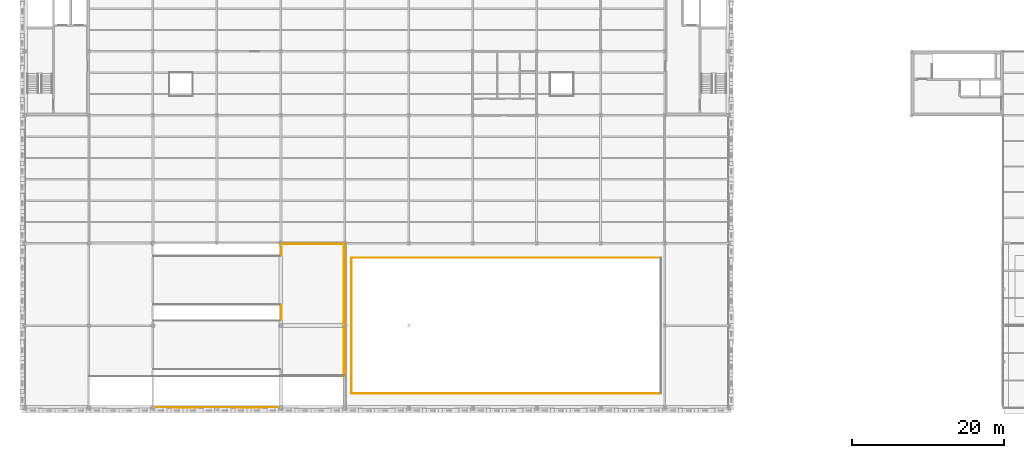
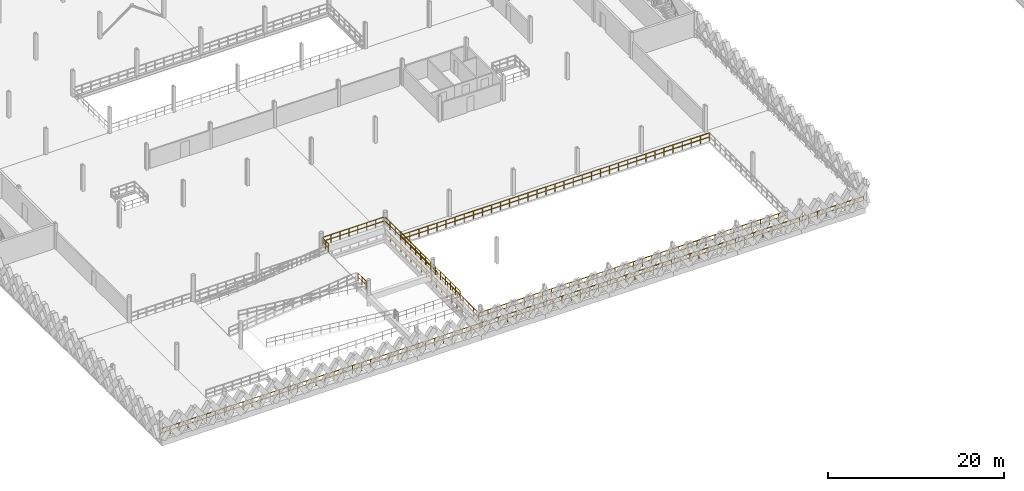
# One storey, part 65 of 74: 9 railings.
"""IFC4 building model written with IfcOpenShell, lengths in metres."""

from ifc_helpers import new_model, si_unit, direction, frame, origin, origin_2d, place, context, subcontext, project, spatial, circle, extrude, material, type_object, element, save


model = new_model("IFC4")

# Units and contexts
model_context = context("Model", 3, precision=1e-05, world=origin(), true_north=direction((0.0, 1.0)))
body_context = subcontext(model_context, "Body", "Model", "MODEL_VIEW")
ifc_project = project(units=[si_unit("LENGTHUNIT", "METRE"), si_unit("AREAUNIT", "SQUARE_METRE"), si_unit("VOLUMEUNIT", "CUBIC_METRE"), si_unit("PLANEANGLEUNIT", "RADIAN"), si_unit("MASSUNIT", "GRAM", prefix="KILO"), si_unit("THERMODYNAMICTEMPERATUREUNIT", "KELVIN"), si_unit("POWERUNIT", "WATT")], contexts=[model_context])

# Site, building, storey
site_placement = place(None, origin())
site = spatial("IfcSite", under=ifc_project, at=site_placement, CompositionType="ELEMENT")
building_placement = place(site_placement, origin())
building = spatial("IfcBuilding", under=site, at=building_placement, Name="Tembeka Court Mobility Hub", CompositionType="ELEMENT")
storey_placement = place(building_placement, frame((0.0, 0.0, 12.60009765625)))
storey = spatial("IfcBuildingStorey", under=building, at=storey_placement, Name="L03", CompositionType="ELEMENT", Elevation=12.60009765625)

# Railings
ifc_material = material(Name="Painted galvanised steel balustrade", Category="steel")
railing_type_1 = type_object("IfcRailingType", Name="RL-GR01", PredefinedType="GUARDRAIL", material=ifc_material)
railing_1_placement = place(storey_placement, frame((42.929931640625, 1.89990234375, 0.0)))
element("IfcRailing", 1, at=railing_1_placement, inside=storey, type_object=railing_type_1, Name="Perimeter guard GR01-0111", PredefinedType="GUARDRAIL", context=body_context, shape_type="SweptSolid", body=[
    extrude(circle(Radius=0.02392578125, at=origin_2d()), frame((0.0, 0.0, 1.09619140625), z_axis=(1.0, 0.0, 0.0), x_axis=(0.0, 1.0, 0.0)), (0.0, 0.0, 1.0), 40.5400390625),
    extrude(circle(Radius=0.02392578125, at=origin_2d()), frame((0.0, 0.0, 0.5361328125), z_axis=(1.0, 0.0, 0.0), x_axis=(0.0, 1.0, 0.0)), (0.0, 0.0, 1.0), 40.5400390625),
    extrude(circle(Radius=0.02099609375, at=origin_2d()), origin(), (0.0, 0.0, 1.0), 1.072021484375),
    extrude(circle(Radius=0.02099609375, at=origin_2d()), frame((1.1923828125, 0.0, 0.0)), (0.0, 0.0, 1.0), 1.072021484375),
    extrude(circle(Radius=0.02099609375, at=origin_2d()), frame((2.384765625, 0.0, 0.0)), (0.0, 0.0, 1.0), 1.072021484375),
    extrude(circle(Radius=0.02099609375, at=origin_2d()), frame((3.5771484375, 0.0, 0.0)), (0.0, 0.0, 1.0), 1.072021484375),
    extrude(circle(Radius=0.02099609375, at=origin_2d()), frame((4.76953125, 0.0, 0.0)), (0.0, 0.0, 1.0), 1.072021484375),
    extrude(circle(Radius=0.02099609375, at=origin_2d()), frame((5.961669921875, 0.0, 0.0)), (0.0, 0.0, 1.0), 1.072021484375),
    extrude(circle(Radius=0.02099609375, at=origin_2d()), frame((7.154052734375, 0.0, 0.0)), (0.0, 0.0, 1.0), 1.072021484375),
    extrude(circle(Radius=0.02099609375, at=origin_2d()), frame((8.346435546875, 0.0, 0.0)), (0.0, 0.0, 1.0), 1.072021484375),
    extrude(circle(Radius=0.02099609375, at=origin_2d()), frame((9.538818359375, 0.0, 0.0)), (0.0, 0.0, 1.0), 1.072021484375),
    extrude(circle(Radius=0.02099609375, at=origin_2d()), frame((10.731201171875, 0.0, 0.0)), (0.0, 0.0, 1.0), 1.072021484375),
    extrude(circle(Radius=0.02099609375, at=origin_2d()), frame((11.923583984375, 0.0, 0.0)), (0.0, 0.0, 1.0), 1.072021484375),
    extrude(circle(Radius=0.02099609375, at=origin_2d()), frame((13.115966796875, 0.0, 0.0)), (0.0, 0.0, 1.0), 1.072021484375),
    extrude(circle(Radius=0.02099609375, at=origin_2d()), frame((14.308349609375, 0.0, 0.0)), (0.0, 0.0, 1.0), 1.072021484375),
    extrude(circle(Radius=0.02099609375, at=origin_2d()), frame((15.50048828125, 0.0, 0.0)), (0.0, 0.0, 1.0), 1.072021484375),
    extrude(circle(Radius=0.02099609375, at=origin_2d()), frame((16.69287109375, 0.0, 0.0)), (0.0, 0.0, 1.0), 1.072021484375),
    extrude(circle(Radius=0.02099609375, at=origin_2d()), frame((17.88525390625, 0.0, 0.0)), (0.0, 0.0, 1.0), 1.072021484375),
    extrude(circle(Radius=0.02099609375, at=origin_2d()), frame((19.07763671875, 0.0, 0.0)), (0.0, 0.0, 1.0), 1.072021484375),
    extrude(circle(Radius=0.02099609375, at=origin_2d()), frame((20.27001953125, 0.0, 0.0)), (0.0, 0.0, 1.0), 1.072021484375),
    extrude(circle(Radius=0.02099609375, at=origin_2d()), frame((21.46240234375, 0.0, 0.0)), (0.0, 0.0, 1.0), 1.072021484375),
    extrude(circle(Radius=0.02099609375, at=origin_2d()), frame((22.65478515625, 0.0, 0.0)), (0.0, 0.0, 1.0), 1.072021484375),
    extrude(circle(Radius=0.02099609375, at=origin_2d()), frame((23.84716796875, 0.0, 0.0)), (0.0, 0.0, 1.0), 1.072021484375),
    extrude(circle(Radius=0.02099609375, at=origin_2d()), frame((25.03955078125, 0.0, 0.0)), (0.0, 0.0, 1.0), 1.072021484375),
    extrude(circle(Radius=0.02099609375, at=origin_2d()), frame((26.231689453125, 0.0, 0.0)), (0.0, 0.0, 1.0), 1.072021484375),
    extrude(circle(Radius=0.02099609375, at=origin_2d()), frame((27.424072265625, 0.0, 0.0)), (0.0, 0.0, 1.0), 1.072021484375),
    extrude(circle(Radius=0.02099609375, at=origin_2d()), frame((28.616455078125, 0.0, 0.0)), (0.0, 0.0, 1.0), 1.072021484375),
    extrude(circle(Radius=0.02099609375, at=origin_2d()), frame((29.808837890625, 0.0, 0.0)), (0.0, 0.0, 1.0), 1.072021484375),
    extrude(circle(Radius=0.02099609375, at=origin_2d()), frame((31.001220703125, 0.0, 0.0)), (0.0, 0.0, 1.0), 1.072021484375),
    extrude(circle(Radius=0.02099609375, at=origin_2d()), frame((32.193603515625, 0.0, 0.0)), (0.0, 0.0, 1.0), 1.072021484375),
    extrude(circle(Radius=0.02099609375, at=origin_2d()), frame((33.385986328125, 0.0, 0.0)), (0.0, 0.0, 1.0), 1.072021484375),
    extrude(circle(Radius=0.02099609375, at=origin_2d()), frame((34.578369140625, 0.0, 0.0)), (0.0, 0.0, 1.0), 1.072021484375),
    extrude(circle(Radius=0.02099609375, at=origin_2d()), frame((35.7705078125, 0.0, 0.0)), (0.0, 0.0, 1.0), 1.072021484375),
    extrude(circle(Radius=0.02099609375, at=origin_2d()), frame((36.962890625, 0.0, 0.0)), (0.0, 0.0, 1.0), 1.072021484375),
    extrude(circle(Radius=0.02099609375, at=origin_2d()), frame((38.1552734375, 0.0, 0.0)), (0.0, 0.0, 1.0), 1.072021484375),
    extrude(circle(Radius=0.02099609375, at=origin_2d()), frame((39.34765625, 0.0, 0.0)), (0.0, 0.0, 1.0), 1.072021484375),
    extrude(circle(Radius=0.02099609375, at=origin_2d()), frame((40.5400390625, 0.0, 0.0)), (0.0, 0.0, 1.0), 1.072021484375),
])
railing_2_placement = place(storey_placement, frame((83.469970703125, 19.699951171875, 0.0)))
element("IfcRailing", 2, at=railing_2_placement, inside=storey, type_object=railing_type_1, Name="Perimeter guard GR01-0113", PredefinedType="GUARDRAIL", context=body_context, shape_type="SweptSolid", body=[
    extrude(circle(Radius=0.02392578125, at=origin_2d()), frame((0.0, 0.0, 1.09619140625), z_axis=(-1.0, 0.0, 0.0), x_axis=(0.0, -1.0, 0.0)), (0.0, 0.0, 1.0), 40.5400390625),
    extrude(circle(Radius=0.02392578125, at=origin_2d()), frame((0.0, 0.0, 0.5361328125), z_axis=(-1.0, 0.0, 0.0), x_axis=(0.0, -1.0, 0.0)), (0.0, 0.0, 1.0), 40.5400390625),
    extrude(circle(Radius=0.02099609375, at=origin_2d()), origin(), (0.0, 0.0, 1.0), 1.072021484375),
    extrude(circle(Radius=0.02099609375, at=origin_2d()), frame((-1.1923828125, 0.0, 0.0)), (0.0, 0.0, 1.0), 1.072021484375),
    extrude(circle(Radius=0.02099609375, at=origin_2d()), frame((-2.384765625, 0.0, 0.0)), (0.0, 0.0, 1.0), 1.072021484375),
    extrude(circle(Radius=0.02099609375, at=origin_2d()), frame((-3.5771484375, 0.0, 0.0)), (0.0, 0.0, 1.0), 1.072021484375),
    extrude(circle(Radius=0.02099609375, at=origin_2d()), frame((-4.76953125, 0.0, 0.0)), (0.0, 0.0, 1.0), 1.072021484375),
    extrude(circle(Radius=0.02099609375, at=origin_2d()), frame((-5.961669921875, 0.0, 0.0)), (0.0, 0.0, 1.0), 1.072021484375),
    extrude(circle(Radius=0.02099609375, at=origin_2d()), frame((-7.154052734375, 0.0, 0.0)), (0.0, 0.0, 1.0), 1.072021484375),
    extrude(circle(Radius=0.02099609375, at=origin_2d()), frame((-8.346435546875, 0.0, 0.0)), (0.0, 0.0, 1.0), 1.072021484375),
    extrude(circle(Radius=0.02099609375, at=origin_2d()), frame((-9.538818359375, 0.0, 0.0)), (0.0, 0.0, 1.0), 1.072021484375),
    extrude(circle(Radius=0.02099609375, at=origin_2d()), frame((-10.731201171875, 0.0, 0.0)), (0.0, 0.0, 1.0), 1.072021484375),
    extrude(circle(Radius=0.02099609375, at=origin_2d()), frame((-11.923583984375, 0.0, 0.0)), (0.0, 0.0, 1.0), 1.072021484375),
    extrude(circle(Radius=0.02099609375, at=origin_2d()), frame((-13.115966796875, 0.0, 0.0)), (0.0, 0.0, 1.0), 1.072021484375),
    extrude(circle(Radius=0.02099609375, at=origin_2d()), frame((-14.308349609375, 0.0, 0.0)), (0.0, 0.0, 1.0), 1.072021484375),
    extrude(circle(Radius=0.02099609375, at=origin_2d()), frame((-15.50048828125, 0.0, 0.0)), (0.0, 0.0, 1.0), 1.072021484375),
    extrude(circle(Radius=0.02099609375, at=origin_2d()), frame((-16.69287109375, 0.0, 0.0)), (0.0, 0.0, 1.0), 1.072021484375),
    extrude(circle(Radius=0.02099609375, at=origin_2d()), frame((-17.88525390625, 0.0, 0.0)), (0.0, 0.0, 1.0), 1.072021484375),
    extrude(circle(Radius=0.02099609375, at=origin_2d()), frame((-19.07763671875, 0.0, 0.0)), (0.0, 0.0, 1.0), 1.072021484375),
    extrude(circle(Radius=0.02099609375, at=origin_2d()), frame((-20.27001953125, 0.0, 0.0)), (0.0, 0.0, 1.0), 1.072021484375),
    extrude(circle(Radius=0.02099609375, at=origin_2d()), frame((-21.46240234375, 0.0, 0.0)), (0.0, 0.0, 1.0), 1.072021484375),
    extrude(circle(Radius=0.02099609375, at=origin_2d()), frame((-22.65478515625, 0.0, 0.0)), (0.0, 0.0, 1.0), 1.072021484375),
    extrude(circle(Radius=0.02099609375, at=origin_2d()), frame((-23.84716796875, 0.0, 0.0)), (0.0, 0.0, 1.0), 1.072021484375),
    extrude(circle(Radius=0.02099609375, at=origin_2d()), frame((-25.03955078125, 0.0, 0.0)), (0.0, 0.0, 1.0), 1.072021484375),
    extrude(circle(Radius=0.02099609375, at=origin_2d()), frame((-26.231689453125, 0.0, 0.0)), (0.0, 0.0, 1.0), 1.072021484375),
    extrude(circle(Radius=0.02099609375, at=origin_2d()), frame((-27.424072265625, 0.0, 0.0)), (0.0, 0.0, 1.0), 1.072021484375),
    extrude(circle(Radius=0.02099609375, at=origin_2d()), frame((-28.616455078125, 0.0, 0.0)), (0.0, 0.0, 1.0), 1.072021484375),
    extrude(circle(Radius=0.02099609375, at=origin_2d()), frame((-29.808837890625, 0.0, 0.0)), (0.0, 0.0, 1.0), 1.072021484375),
    extrude(circle(Radius=0.02099609375, at=origin_2d()), frame((-31.001220703125, 0.0, 0.0)), (0.0, 0.0, 1.0), 1.072021484375),
    extrude(circle(Radius=0.02099609375, at=origin_2d()), frame((-32.193603515625, 0.0, 0.0)), (0.0, 0.0, 1.0), 1.072021484375),
    extrude(circle(Radius=0.02099609375, at=origin_2d()), frame((-33.385986328125, 0.0, 0.0)), (0.0, 0.0, 1.0), 1.072021484375),
    extrude(circle(Radius=0.02099609375, at=origin_2d()), frame((-34.578369140625, 0.0, 0.0)), (0.0, 0.0, 1.0), 1.072021484375),
    extrude(circle(Radius=0.02099609375, at=origin_2d()), frame((-35.7705078125, 0.0, 0.0)), (0.0, 0.0, 1.0), 1.072021484375),
    extrude(circle(Radius=0.02099609375, at=origin_2d()), frame((-36.962890625, 0.0, 0.0)), (0.0, 0.0, 1.0), 1.072021484375),
    extrude(circle(Radius=0.02099609375, at=origin_2d()), frame((-38.1552734375, 0.0, 0.0)), (0.0, 0.0, 1.0), 1.072021484375),
    extrude(circle(Radius=0.02099609375, at=origin_2d()), frame((-39.34765625, 0.0, 0.0)), (0.0, 0.0, 1.0), 1.072021484375),
    extrude(circle(Radius=0.02099609375, at=origin_2d()), frame((-40.5400390625, 0.0, 0.0)), (0.0, 0.0, 1.0), 1.072021484375),
])
railing_3_placement = place(storey_placement, frame((42.89990234375, 19.669921875, 0.0)))
element("IfcRailing", 3, at=railing_3_placement, inside=storey, type_object=railing_type_1, Name="Perimeter guard GR01-0114", PredefinedType="GUARDRAIL", context=body_context, shape_type="SweptSolid", body=[
    extrude(circle(Radius=0.02392578125, at=origin_2d()), frame((0.0, 0.0, 1.09619140625), z_axis=(0.0, -1.0, 0.0), x_axis=(1.0, 0.0, 0.0)), (0.0, 0.0, 1.0), 17.739990234375),
    extrude(circle(Radius=0.02392578125, at=origin_2d()), frame((0.0, 0.0, 0.5361328125), z_axis=(0.0, -1.0, 0.0), x_axis=(1.0, 0.0, 0.0)), (0.0, 0.0, 1.0), 17.739990234375),
    extrude(circle(Radius=0.02099609375, at=origin_2d()), origin(), (0.0, 0.0, 1.0), 1.072021484375),
    extrude(circle(Radius=0.02099609375, at=origin_2d()), frame((0.0, -1.1826171875, 0.0)), (0.0, 0.0, 1.0), 1.072021484375),
    extrude(circle(Radius=0.02099609375, at=origin_2d()), frame((0.0, -2.365234375, 0.0)), (0.0, 0.0, 1.0), 1.072021484375),
    extrude(circle(Radius=0.02099609375, at=origin_2d()), frame((0.0, -3.548095703125, 0.0)), (0.0, 0.0, 1.0), 1.072021484375),
    extrude(circle(Radius=0.02099609375, at=origin_2d()), frame((0.0, -4.730712890625, 0.0)), (0.0, 0.0, 1.0), 1.072021484375),
    extrude(circle(Radius=0.02099609375, at=origin_2d()), frame((0.0, -5.913330078125, 0.0)), (0.0, 0.0, 1.0), 1.072021484375),
    extrude(circle(Radius=0.02099609375, at=origin_2d()), frame((0.0, -7.095947265625, 0.0)), (0.0, 0.0, 1.0), 1.072021484375),
    extrude(circle(Radius=0.02099609375, at=origin_2d()), frame((0.0, -8.278564453125, 0.0)), (0.0, 0.0, 1.0), 1.072021484375),
    extrude(circle(Radius=0.02099609375, at=origin_2d()), frame((0.0, -9.46142578125, 0.0)), (0.0, 0.0, 1.0), 1.072021484375),
    extrude(circle(Radius=0.02099609375, at=origin_2d()), frame((0.0, -10.64404296875, 0.0)), (0.0, 0.0, 1.0), 1.072021484375),
    extrude(circle(Radius=0.02099609375, at=origin_2d()), frame((0.0, -11.82666015625, 0.0)), (0.0, 0.0, 1.0), 1.072021484375),
    extrude(circle(Radius=0.02099609375, at=origin_2d()), frame((0.0, -13.00927734375, 0.0)), (0.0, 0.0, 1.0), 1.072021484375),
    extrude(circle(Radius=0.02099609375, at=origin_2d()), frame((0.0, -14.19189453125, 0.0)), (0.0, 0.0, 1.0), 1.072021484375),
    extrude(circle(Radius=0.02099609375, at=origin_2d()), frame((0.0, -15.374755859375, 0.0)), (0.0, 0.0, 1.0), 1.072021484375),
    extrude(circle(Radius=0.02099609375, at=origin_2d()), frame((0.0, -16.557373046875, 0.0)), (0.0, 0.0, 1.0), 1.072021484375),
    extrude(circle(Radius=0.02099609375, at=origin_2d()), frame((0.0, -17.739990234375, 0.0)), (0.0, 0.0, 1.0), 1.072021484375),
])
railing_type_2 = type_object("IfcRailingType", Name="RL-GR02", PredefinedType="GUARDRAIL", material=ifc_material)
railing_4_placement = place(storey_placement, frame((0.080078125, 0.050048828125, 0.0)))
element("IfcRailing", 4, at=railing_4_placement, inside=storey, type_object=railing_type_2, Name="Perimeter guard GR02-0119", PredefinedType="GUARDRAIL", context=body_context, shape_type="SweptSolid", body=[
    extrude(circle(Radius=0.02392578125, at=origin_2d()), frame((0.0, 0.0, 1.09619140625), z_axis=(1.0, 0.0, 0.0), x_axis=(0.0, 1.0, 0.0)), (0.0, 0.0, 1.0), 92.239990234375),
    extrude(circle(Radius=0.02392578125, at=origin_2d()), frame((0.0, 0.0, 0.5361328125), z_axis=(1.0, 0.0, 0.0), x_axis=(0.0, 1.0, 0.0)), (0.0, 0.0, 1.0), 92.239990234375),
    extrude(circle(Radius=0.02099609375, at=origin_2d()), origin(), (0.0, 0.0, 1.0), 1.072021484375),
    extrude(circle(Radius=0.02099609375, at=origin_2d()), frame((1.197998046875, 0.0, 0.0)), (0.0, 0.0, 1.0), 1.072021484375),
    extrude(circle(Radius=0.02099609375, at=origin_2d()), frame((2.395751953125, 0.0, 0.0)), (0.0, 0.0, 1.0), 1.072021484375),
    extrude(circle(Radius=0.02099609375, at=origin_2d()), frame((3.59375, 0.0, 0.0)), (0.0, 0.0, 1.0), 1.072021484375),
    extrude(circle(Radius=0.02099609375, at=origin_2d()), frame((4.791748046875, 0.0, 0.0)), (0.0, 0.0, 1.0), 1.072021484375),
    extrude(circle(Radius=0.02099609375, at=origin_2d()), frame((5.989501953125, 0.0, 0.0)), (0.0, 0.0, 1.0), 1.072021484375),
    extrude(circle(Radius=0.02099609375, at=origin_2d()), frame((7.1875, 0.0, 0.0)), (0.0, 0.0, 1.0), 1.072021484375),
    extrude(circle(Radius=0.02099609375, at=origin_2d()), frame((8.385498046875, 0.0, 0.0)), (0.0, 0.0, 1.0), 1.072021484375),
    extrude(circle(Radius=0.02099609375, at=origin_2d()), frame((9.58349609375, 0.0, 0.0)), (0.0, 0.0, 1.0), 1.072021484375),
    extrude(circle(Radius=0.02099609375, at=origin_2d()), frame((10.78125, 0.0, 0.0)), (0.0, 0.0, 1.0), 1.072021484375),
    extrude(circle(Radius=0.02099609375, at=origin_2d()), frame((11.979248046875, 0.0, 0.0)), (0.0, 0.0, 1.0), 1.072021484375),
    extrude(circle(Radius=0.02099609375, at=origin_2d()), frame((13.17724609375, 0.0, 0.0)), (0.0, 0.0, 1.0), 1.072021484375),
    extrude(circle(Radius=0.02099609375, at=origin_2d()), frame((14.375, 0.0, 0.0)), (0.0, 0.0, 1.0), 1.072021484375),
    extrude(circle(Radius=0.02099609375, at=origin_2d()), frame((15.572998046875, 0.0, 0.0)), (0.0, 0.0, 1.0), 1.072021484375),
    extrude(circle(Radius=0.02099609375, at=origin_2d()), frame((16.77099609375, 0.0, 0.0)), (0.0, 0.0, 1.0), 1.072021484375),
    extrude(circle(Radius=0.02099609375, at=origin_2d()), frame((17.96875, 0.0, 0.0)), (0.0, 0.0, 1.0), 1.072021484375),
    extrude(circle(Radius=0.02099609375, at=origin_2d()), frame((19.166748046875, 0.0, 0.0)), (0.0, 0.0, 1.0), 1.072021484375),
    extrude(circle(Radius=0.02099609375, at=origin_2d()), frame((20.36474609375, 0.0, 0.0)), (0.0, 0.0, 1.0), 1.072021484375),
    extrude(circle(Radius=0.02099609375, at=origin_2d()), frame((21.5625, 0.0, 0.0)), (0.0, 0.0, 1.0), 1.072021484375),
    extrude(circle(Radius=0.02099609375, at=origin_2d()), frame((22.760498046875, 0.0, 0.0)), (0.0, 0.0, 1.0), 1.072021484375),
    extrude(circle(Radius=0.02099609375, at=origin_2d()), frame((23.95849609375, 0.0, 0.0)), (0.0, 0.0, 1.0), 1.072021484375),
    extrude(circle(Radius=0.02099609375, at=origin_2d()), frame((25.15625, 0.0, 0.0)), (0.0, 0.0, 1.0), 1.072021484375),
    extrude(circle(Radius=0.02099609375, at=origin_2d()), frame((26.354248046875, 0.0, 0.0)), (0.0, 0.0, 1.0), 1.072021484375),
    extrude(circle(Radius=0.02099609375, at=origin_2d()), frame((27.55224609375, 0.0, 0.0)), (0.0, 0.0, 1.0), 1.072021484375),
    extrude(circle(Radius=0.02099609375, at=origin_2d()), frame((28.750244140625, 0.0, 0.0)), (0.0, 0.0, 1.0), 1.072021484375),
    extrude(circle(Radius=0.02099609375, at=origin_2d()), frame((29.947998046875, 0.0, 0.0)), (0.0, 0.0, 1.0), 1.072021484375),
    extrude(circle(Radius=0.02099609375, at=origin_2d()), frame((31.14599609375, 0.0, 0.0)), (0.0, 0.0, 1.0), 1.072021484375),
    extrude(circle(Radius=0.02099609375, at=origin_2d()), frame((32.343994140625, 0.0, 0.0)), (0.0, 0.0, 1.0), 1.072021484375),
    extrude(circle(Radius=0.02099609375, at=origin_2d()), frame((33.541748046875, 0.0, 0.0)), (0.0, 0.0, 1.0), 1.072021484375),
    extrude(circle(Radius=0.02099609375, at=origin_2d()), frame((34.73974609375, 0.0, 0.0)), (0.0, 0.0, 1.0), 1.072021484375),
    extrude(circle(Radius=0.02099609375, at=origin_2d()), frame((35.937744140625, 0.0, 0.0)), (0.0, 0.0, 1.0), 1.072021484375),
    extrude(circle(Radius=0.02099609375, at=origin_2d()), frame((37.135498046875, 0.0, 0.0)), (0.0, 0.0, 1.0), 1.072021484375),
    extrude(circle(Radius=0.02099609375, at=origin_2d()), frame((38.33349609375, 0.0, 0.0)), (0.0, 0.0, 1.0), 1.072021484375),
    extrude(circle(Radius=0.02099609375, at=origin_2d()), frame((39.531494140625, 0.0, 0.0)), (0.0, 0.0, 1.0), 1.072021484375),
    extrude(circle(Radius=0.02099609375, at=origin_2d()), frame((40.729248046875, 0.0, 0.0)), (0.0, 0.0, 1.0), 1.072021484375),
    extrude(circle(Radius=0.02099609375, at=origin_2d()), frame((41.92724609375, 0.0, 0.0)), (0.0, 0.0, 1.0), 1.072021484375),
    extrude(circle(Radius=0.02099609375, at=origin_2d()), frame((43.125244140625, 0.0, 0.0)), (0.0, 0.0, 1.0), 1.072021484375),
    extrude(circle(Radius=0.02099609375, at=origin_2d()), frame((44.322998046875, 0.0, 0.0)), (0.0, 0.0, 1.0), 1.072021484375),
    extrude(circle(Radius=0.02099609375, at=origin_2d()), frame((45.52099609375, 0.0, 0.0)), (0.0, 0.0, 1.0), 1.072021484375),
    extrude(circle(Radius=0.02099609375, at=origin_2d()), frame((46.718994140625, 0.0, 0.0)), (0.0, 0.0, 1.0), 1.072021484375),
    extrude(circle(Radius=0.02099609375, at=origin_2d()), frame((47.9169921875, 0.0, 0.0)), (0.0, 0.0, 1.0), 1.072021484375),
    extrude(circle(Radius=0.02099609375, at=origin_2d()), frame((49.11474609375, 0.0, 0.0)), (0.0, 0.0, 1.0), 1.072021484375),
    extrude(circle(Radius=0.02099609375, at=origin_2d()), frame((50.312744140625, 0.0, 0.0)), (0.0, 0.0, 1.0), 1.072021484375),
    extrude(circle(Radius=0.02099609375, at=origin_2d()), frame((51.5107421875, 0.0, 0.0)), (0.0, 0.0, 1.0), 1.072021484375),
    extrude(circle(Radius=0.02099609375, at=origin_2d()), frame((52.70849609375, 0.0, 0.0)), (0.0, 0.0, 1.0), 1.072021484375),
    extrude(circle(Radius=0.02099609375, at=origin_2d()), frame((53.906494140625, 0.0, 0.0)), (0.0, 0.0, 1.0), 1.072021484375),
    extrude(circle(Radius=0.02099609375, at=origin_2d()), frame((55.1044921875, 0.0, 0.0)), (0.0, 0.0, 1.0), 1.072021484375),
    extrude(circle(Radius=0.02099609375, at=origin_2d()), frame((56.30224609375, 0.0, 0.0)), (0.0, 0.0, 1.0), 1.072021484375),
    extrude(circle(Radius=0.02099609375, at=origin_2d()), frame((57.500244140625, 0.0, 0.0)), (0.0, 0.0, 1.0), 1.072021484375),
    extrude(circle(Radius=0.02099609375, at=origin_2d()), frame((58.6982421875, 0.0, 0.0)), (0.0, 0.0, 1.0), 1.072021484375),
    extrude(circle(Radius=0.02099609375, at=origin_2d()), frame((59.89599609375, 0.0, 0.0)), (0.0, 0.0, 1.0), 1.072021484375),
    extrude(circle(Radius=0.02099609375, at=origin_2d()), frame((61.093994140625, 0.0, 0.0)), (0.0, 0.0, 1.0), 1.072021484375),
    extrude(circle(Radius=0.02099609375, at=origin_2d()), frame((62.2919921875, 0.0, 0.0)), (0.0, 0.0, 1.0), 1.072021484375),
    extrude(circle(Radius=0.02099609375, at=origin_2d()), frame((63.48974609375, 0.0, 0.0)), (0.0, 0.0, 1.0), 1.072021484375),
    extrude(circle(Radius=0.02099609375, at=origin_2d()), frame((64.687744140625, 0.0, 0.0)), (0.0, 0.0, 1.0), 1.072021484375),
    extrude(circle(Radius=0.02099609375, at=origin_2d()), frame((65.8857421875, 0.0, 0.0)), (0.0, 0.0, 1.0), 1.072021484375),
    extrude(circle(Radius=0.02099609375, at=origin_2d()), frame((67.083740234375, 0.0, 0.0)), (0.0, 0.0, 1.0), 1.072021484375),
    extrude(circle(Radius=0.02099609375, at=origin_2d()), frame((68.281494140625, 0.0, 0.0)), (0.0, 0.0, 1.0), 1.072021484375),
    extrude(circle(Radius=0.02099609375, at=origin_2d()), frame((69.4794921875, 0.0, 0.0)), (0.0, 0.0, 1.0), 1.072021484375),
    extrude(circle(Radius=0.02099609375, at=origin_2d()), frame((70.677490234375, 0.0, 0.0)), (0.0, 0.0, 1.0), 1.072021484375),
    extrude(circle(Radius=0.02099609375, at=origin_2d()), frame((71.875244140625, 0.0, 0.0)), (0.0, 0.0, 1.0), 1.072021484375),
    extrude(circle(Radius=0.02099609375, at=origin_2d()), frame((73.0732421875, 0.0, 0.0)), (0.0, 0.0, 1.0), 1.072021484375),
    extrude(circle(Radius=0.02099609375, at=origin_2d()), frame((74.271240234375, 0.0, 0.0)), (0.0, 0.0, 1.0), 1.072021484375),
    extrude(circle(Radius=0.02099609375, at=origin_2d()), frame((75.468994140625, 0.0, 0.0)), (0.0, 0.0, 1.0), 1.072021484375),
    extrude(circle(Radius=0.02099609375, at=origin_2d()), frame((76.6669921875, 0.0, 0.0)), (0.0, 0.0, 1.0), 1.072021484375),
    extrude(circle(Radius=0.02099609375, at=origin_2d()), frame((77.864990234375, 0.0, 0.0)), (0.0, 0.0, 1.0), 1.072021484375),
    extrude(circle(Radius=0.02099609375, at=origin_2d()), frame((79.062744140625, 0.0, 0.0)), (0.0, 0.0, 1.0), 1.072021484375),
    extrude(circle(Radius=0.02099609375, at=origin_2d()), frame((80.2607421875, 0.0, 0.0)), (0.0, 0.0, 1.0), 1.072021484375),
    extrude(circle(Radius=0.02099609375, at=origin_2d()), frame((81.458740234375, 0.0, 0.0)), (0.0, 0.0, 1.0), 1.072021484375),
    extrude(circle(Radius=0.02099609375, at=origin_2d()), frame((82.656494140625, 0.0, 0.0)), (0.0, 0.0, 1.0), 1.072021484375),
    extrude(circle(Radius=0.02099609375, at=origin_2d()), frame((83.8544921875, 0.0, 0.0)), (0.0, 0.0, 1.0), 1.072021484375),
    extrude(circle(Radius=0.02099609375, at=origin_2d()), frame((85.052490234375, 0.0, 0.0)), (0.0, 0.0, 1.0), 1.072021484375),
    extrude(circle(Radius=0.02099609375, at=origin_2d()), frame((86.25048828125, 0.0, 0.0)), (0.0, 0.0, 1.0), 1.072021484375),
    extrude(circle(Radius=0.02099609375, at=origin_2d()), frame((87.4482421875, 0.0, 0.0)), (0.0, 0.0, 1.0), 1.072021484375),
    extrude(circle(Radius=0.02099609375, at=origin_2d()), frame((88.646240234375, 0.0, 0.0)), (0.0, 0.0, 1.0), 1.072021484375),
    extrude(circle(Radius=0.02099609375, at=origin_2d()), frame((89.84423828125, 0.0, 0.0)), (0.0, 0.0, 1.0), 1.072021484375),
    extrude(circle(Radius=0.02099609375, at=origin_2d()), frame((91.0419921875, 0.0, 0.0)), (0.0, 0.0, 1.0), 1.072021484375),
    extrude(circle(Radius=0.02099609375, at=origin_2d()), frame((92.239990234375, 0.0, 0.0)), (0.0, 0.0, 1.0), 1.072021484375),
])
railing_5_placement = place(storey_placement, frame((42.050048828125, 4.179931640625, 0.0)))
element("IfcRailing", 5, at=railing_5_placement, inside=storey, type_object=railing_type_2, Name="Perimeter guard GR02-0270", PredefinedType="GUARDRAIL", context=body_context, shape_type="SweptSolid", body=[
    extrude(circle(Radius=0.02392578125, at=origin_2d()), frame((0.0, 0.0, 1.09619140625), z_axis=(0.0, 1.0, 0.0), x_axis=(-1.0, 0.0, 0.0)), (0.0, 0.0, 1.0), 17.440185546875),
    extrude(circle(Radius=0.02392578125, at=origin_2d()), frame((0.0, 0.0, 0.5361328125), z_axis=(0.0, 1.0, 0.0), x_axis=(-1.0, 0.0, 0.0)), (0.0, 0.0, 1.0), 17.440185546875),
    extrude(circle(Radius=0.02099609375, at=origin_2d()), origin(), (0.0, 0.0, 1.0), 1.072021484375),
    extrude(circle(Radius=0.02099609375, at=origin_2d()), frame((0.0, 1.16259765625, 0.0)), (0.0, 0.0, 1.0), 1.072021484375),
    extrude(circle(Radius=0.02099609375, at=origin_2d()), frame((0.0, 2.325439453125, 0.0)), (0.0, 0.0, 1.0), 1.072021484375),
    extrude(circle(Radius=0.02099609375, at=origin_2d()), frame((0.0, 3.488037109375, 0.0)), (0.0, 0.0, 1.0), 1.072021484375),
    extrude(circle(Radius=0.02099609375, at=origin_2d()), frame((0.0, 4.650634765625, 0.0)), (0.0, 0.0, 1.0), 1.072021484375),
    extrude(circle(Radius=0.02099609375, at=origin_2d()), frame((0.0, 5.8134765625, 0.0)), (0.0, 0.0, 1.0), 1.072021484375),
    extrude(circle(Radius=0.02099609375, at=origin_2d()), frame((0.0, 6.97607421875, 0.0)), (0.0, 0.0, 1.0), 1.072021484375),
    extrude(circle(Radius=0.02099609375, at=origin_2d()), frame((0.0, 8.138671875, 0.0)), (0.0, 0.0, 1.0), 1.072021484375),
    extrude(circle(Radius=0.02099609375, at=origin_2d()), frame((0.0, 9.301513671875, 0.0)), (0.0, 0.0, 1.0), 1.072021484375),
    extrude(circle(Radius=0.02099609375, at=origin_2d()), frame((0.0, 10.464111328125, 0.0)), (0.0, 0.0, 1.0), 1.072021484375),
    extrude(circle(Radius=0.02099609375, at=origin_2d()), frame((0.0, 11.626708984375, 0.0)), (0.0, 0.0, 1.0), 1.072021484375),
    extrude(circle(Radius=0.02099609375, at=origin_2d()), frame((0.0, 12.78955078125, 0.0)), (0.0, 0.0, 1.0), 1.072021484375),
    extrude(circle(Radius=0.02099609375, at=origin_2d()), frame((0.0, 13.9521484375, 0.0)), (0.0, 0.0, 1.0), 1.072021484375),
    extrude(circle(Radius=0.02099609375, at=origin_2d()), frame((0.0, 15.11474609375, 0.0)), (0.0, 0.0, 1.0), 1.072021484375),
    extrude(circle(Radius=0.02099609375, at=origin_2d()), frame((0.0, 16.277587890625, 0.0)), (0.0, 0.0, 1.0), 1.072021484375),
    extrude(circle(Radius=0.02099609375, at=origin_2d()), frame((0.0, 17.440185546875, 0.0)), (0.0, 0.0, 1.0), 1.072021484375),
])
railing_6_placement = place(storey_placement, frame((41.919921875, 4.31005859375, 1.7998046875)))
element("IfcRailing", 6, at=railing_6_placement, inside=storey, type_object=railing_type_2, Name="Perimeter guard GR02-0322", PredefinedType="GUARDRAIL", context=body_context, shape_type="SweptSolid", body=[
    extrude(circle(Radius=0.02392578125, at=origin_2d()), frame((0.0, 0.0, 1.09619140625), z_axis=(0.0, 1.0, 0.0), x_axis=(-1.0, 0.0, 0.0)), (0.0, 0.0, 1.0), 17.179931640625),
    extrude(circle(Radius=0.02392578125, at=origin_2d()), frame((0.0, 0.0, 0.5361328125), z_axis=(0.0, 1.0, 0.0), x_axis=(-1.0, 0.0, 0.0)), (0.0, 0.0, 1.0), 17.179931640625),
    extrude(circle(Radius=0.02099609375, at=origin_2d()), origin(), (0.0, 0.0, 1.0), 1.072021484375),
    extrude(circle(Radius=0.02099609375, at=origin_2d()), frame((0.0, 1.145263671875, 0.0)), (0.0, 0.0, 1.0), 1.072021484375),
    extrude(circle(Radius=0.02099609375, at=origin_2d()), frame((0.0, 2.290771484375, 0.0)), (0.0, 0.0, 1.0), 1.072021484375),
    extrude(circle(Radius=0.02099609375, at=origin_2d()), frame((0.0, 3.43603515625, 0.0)), (0.0, 0.0, 1.0), 1.072021484375),
    extrude(circle(Radius=0.02099609375, at=origin_2d()), frame((0.0, 4.581298828125, 0.0)), (0.0, 0.0, 1.0), 1.072021484375),
    extrude(circle(Radius=0.02099609375, at=origin_2d()), frame((0.0, 5.7265625, 0.0)), (0.0, 0.0, 1.0), 1.072021484375),
    extrude(circle(Radius=0.02099609375, at=origin_2d()), frame((0.0, 6.8720703125, 0.0)), (0.0, 0.0, 1.0), 1.072021484375),
    extrude(circle(Radius=0.02099609375, at=origin_2d()), frame((0.0, 8.017333984375, 0.0)), (0.0, 0.0, 1.0), 1.072021484375),
    extrude(circle(Radius=0.02099609375, at=origin_2d()), frame((0.0, 9.16259765625, 0.0)), (0.0, 0.0, 1.0), 1.072021484375),
    extrude(circle(Radius=0.02099609375, at=origin_2d()), frame((0.0, 10.307861328125, 0.0)), (0.0, 0.0, 1.0), 1.072021484375),
    extrude(circle(Radius=0.02099609375, at=origin_2d()), frame((0.0, 11.453369140625, 0.0)), (0.0, 0.0, 1.0), 1.072021484375),
    extrude(circle(Radius=0.02099609375, at=origin_2d()), frame((0.0, 12.5986328125, 0.0)), (0.0, 0.0, 1.0), 1.072021484375),
    extrude(circle(Radius=0.02099609375, at=origin_2d()), frame((0.0, 13.743896484375, 0.0)), (0.0, 0.0, 1.0), 1.072021484375),
    extrude(circle(Radius=0.02099609375, at=origin_2d()), frame((0.0, 14.88916015625, 0.0)), (0.0, 0.0, 1.0), 1.072021484375),
    extrude(circle(Radius=0.02099609375, at=origin_2d()), frame((0.0, 16.03466796875, 0.0)), (0.0, 0.0, 1.0), 1.072021484375),
    extrude(circle(Radius=0.02099609375, at=origin_2d()), frame((0.0, 17.179931640625, 0.0)), (0.0, 0.0, 1.0), 1.072021484375),
])
railing_7_placement = place(storey_placement, frame((41.889892578125, 21.52001953125, 1.7998046875)))
element("IfcRailing", 7, at=railing_7_placement, inside=storey, type_object=railing_type_2, Name="Perimeter guard GR02-0323", PredefinedType="GUARDRAIL", context=body_context, shape_type="SweptSolid", body=[
    extrude(circle(Radius=0.02392578125, at=origin_2d()), frame((0.0, 0.0, 1.09619140625), z_axis=(-1.0, 0.0, 0.0), x_axis=(0.0, -1.0, 0.0)), (0.0, 0.0, 1.0), 8.260009765625),
    extrude(circle(Radius=0.02392578125, at=origin_2d()), frame((0.0, 0.0, 0.5361328125), z_axis=(-1.0, 0.0, 0.0), x_axis=(0.0, -1.0, 0.0)), (0.0, 0.0, 1.0), 8.260009765625),
    extrude(circle(Radius=0.02099609375, at=origin_2d()), origin(), (0.0, 0.0, 1.0), 1.072021484375),
    extrude(circle(Radius=0.02099609375, at=origin_2d()), frame((-1.179931640625, 0.0, 0.0)), (0.0, 0.0, 1.0), 1.072021484375),
    extrude(circle(Radius=0.02099609375, at=origin_2d()), frame((-2.360107421875, 0.0, 0.0)), (0.0, 0.0, 1.0), 1.072021484375),
    extrude(circle(Radius=0.02099609375, at=origin_2d()), frame((-3.5400390625, 0.0, 0.0)), (0.0, 0.0, 1.0), 1.072021484375),
    extrude(circle(Radius=0.02099609375, at=origin_2d()), frame((-4.719970703125, 0.0, 0.0)), (0.0, 0.0, 1.0), 1.072021484375),
    extrude(circle(Radius=0.02099609375, at=origin_2d()), frame((-5.89990234375, 0.0, 0.0)), (0.0, 0.0, 1.0), 1.072021484375),
    extrude(circle(Radius=0.02099609375, at=origin_2d()), frame((-7.080078125, 0.0, 0.0)), (0.0, 0.0, 1.0), 1.072021484375),
    extrude(circle(Radius=0.02099609375, at=origin_2d()), frame((-8.260009765625, 0.0, 0.0)), (0.0, 0.0, 1.0), 1.072021484375),
])
railing_8_placement = place(storey_placement, frame((33.679931640625, 11.580078125, 1.7998046875)))
element("IfcRailing", 8, at=railing_8_placement, inside=storey, type_object=railing_type_2, Name="Perimeter guard GR02-0325", PredefinedType="GUARDRAIL", context=body_context, shape_type="SweptSolid", body=[
    extrude(circle(Radius=0.02392578125, at=origin_2d()), frame((0.0, 0.0, 1.09619140625), z_axis=(0.0, 1.0, 0.0), x_axis=(-1.0, 0.0, 0.0)), (0.0, 0.0, 1.0), 1.83984375),
    extrude(circle(Radius=0.02392578125, at=origin_2d()), frame((0.0, 0.0, 0.5361328125), z_axis=(0.0, 1.0, 0.0), x_axis=(-1.0, 0.0, 0.0)), (0.0, 0.0, 1.0), 1.83984375),
    extrude(circle(Radius=0.02099609375, at=origin_2d()), origin(), (0.0, 0.0, 1.0), 1.072021484375),
    extrude(circle(Radius=0.02099609375, at=origin_2d()), frame((0.0, 0.919921875, 0.0)), (0.0, 0.0, 1.0), 1.072021484375),
    extrude(circle(Radius=0.02099609375, at=origin_2d()), frame((0.0, 1.83984375, 0.0)), (0.0, 0.0, 1.0), 1.072021484375),
])
railing_9_placement = place(storey_placement, frame((33.679931640625, 20.080078125, 1.7998046875)))
element("IfcRailing", 9, at=railing_9_placement, inside=storey, type_object=railing_type_2, Name="Perimeter guard GR02-0326", PredefinedType="GUARDRAIL", context=body_context, shape_type="SweptSolid", body=[
    extrude(circle(Radius=0.02392578125, at=origin_2d()), frame((0.0, 0.0, 1.09619140625), z_axis=(0.0, 1.0, 0.0), x_axis=(-1.0, 0.0, 0.0)), (0.0, 0.0, 1.0), 1.409912109375),
    extrude(circle(Radius=0.02392578125, at=origin_2d()), frame((0.0, 0.0, 0.5361328125), z_axis=(0.0, 1.0, 0.0), x_axis=(-1.0, 0.0, 0.0)), (0.0, 0.0, 1.0), 1.409912109375),
    extrude(circle(Radius=0.02099609375, at=origin_2d()), origin(), (0.0, 0.0, 1.0), 1.072021484375),
    extrude(circle(Radius=0.02099609375, at=origin_2d()), frame((0.0, 0.705078125, 0.0)), (0.0, 0.0, 1.0), 1.072021484375),
    extrude(circle(Radius=0.02099609375, at=origin_2d()), frame((0.0, 1.409912109375, 0.0)), (0.0, 0.0, 1.0), 1.072021484375),
])

save(model, "model.ifc")
